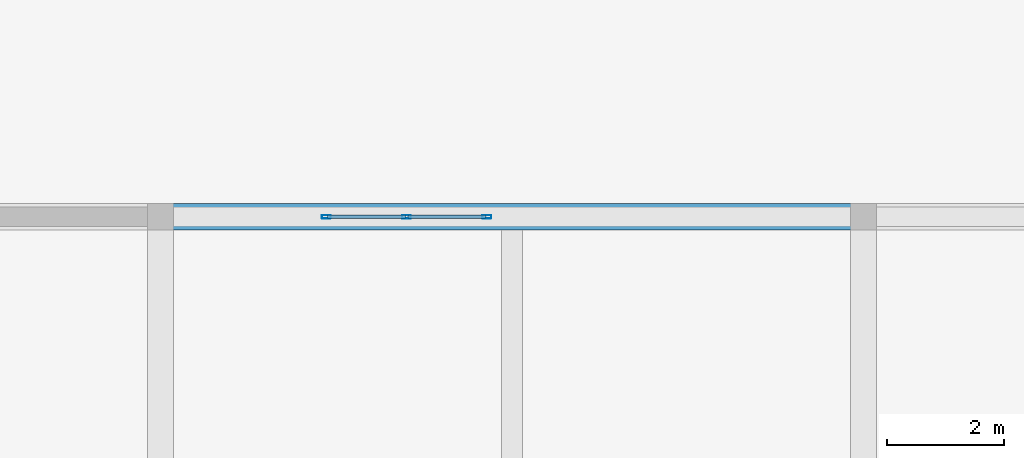
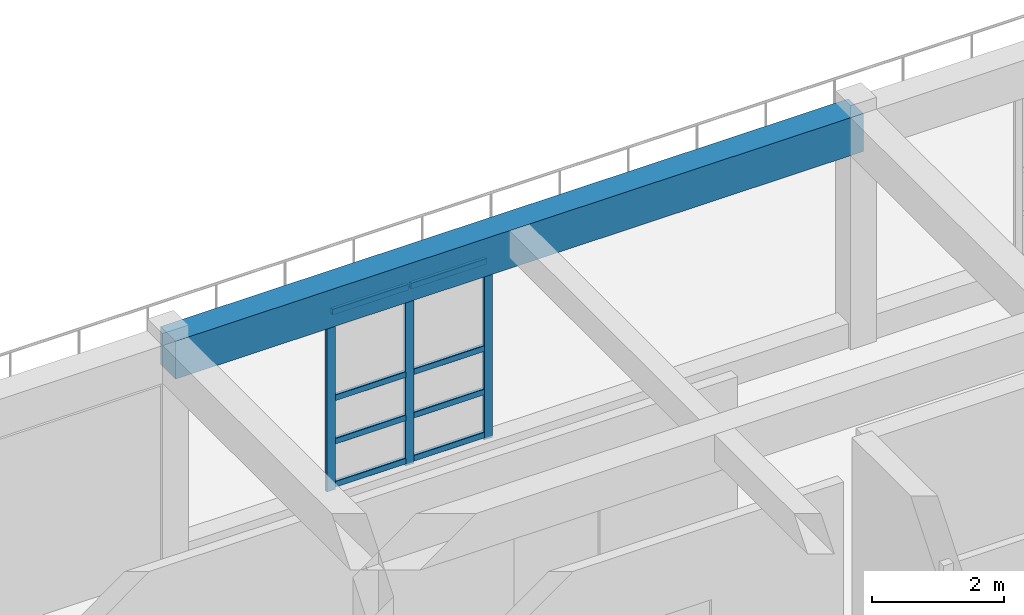
# One storey, part 6 of 15: 11 members, 1 beam, 1 element without a shape of its own.
"""IFC4 building model written with IfcOpenShell, lengths in metres."""

import ifcopenshell
import ifcopenshell.guid

model = None  # the IFC model being written
_history = None  # IfcOwnerHistory: only IFC2X3 demands one
_inside = {}  # id of a spatial element -> (the spatial element, [elements in it])
_under = {}  # id of a project, library or spatial element -> (it, [spatial elements below it])
_declared = {}  # id of a project -> (the project, [libraries it declares])
_typed = {}  # id of a type object -> (the type object, [elements of that type])
_made_of = {}  # id of a material, layer set ... -> (it, [elements and type objects made of it])


def new_model(schema):
    """Start an empty IFC model of exactly this schema.

    Asked for "IFC4X3", IfcOpenShell would pick the latest addendum, in which some entities
    have other attributes; the version numbers below select the first issue.
    IFC2X3 requires an IfcOwnerHistory on every rooted entity: one is made here for all.
    """
    global model, _history
    if schema == "IFC4X3":
        model = ifcopenshell.file(schema_version=(4, 3, 0, 0))
    else:
        model = ifcopenshell.file(schema=schema)
    _inside.clear()
    _under.clear()
    _declared.clear()
    _typed.clear()
    _made_of.clear()
    _history = None
    if model.schema == "IFC2X3":
        org = make("IfcOrganization", Name="unknown")
        user = make(
            "IfcPersonAndOrganization",
            ThePerson=make("IfcPerson", FamilyName="unknown"),
            TheOrganization=org,
        )
        app = make(
            "IfcApplication",
            ApplicationDeveloper=org,
            Version="unknown",
            ApplicationFullName="unknown",
            ApplicationIdentifier="unknown",
        )
        _history = make(
            "IfcOwnerHistory",
            OwningUser=user,
            OwningApplication=app,
            ChangeAction="ADDED",
            CreationDate=0,
        )
    return model


def make(cls, **values):
    """One entity of the class cls with the attributes given. An attribute that is None is left unset."""
    return model.create_entity(
        cls, **{name: value for name, value in values.items() if value is not None}
    )


def rooted(cls, **values):
    """An entity with a GlobalId (a new one), such as an element, a storey or a relation."""
    return make(cls, GlobalId=ifcopenshell.guid.new(), OwnerHistory=_history, **values)


def si_unit(unit_type, name, prefix=None):
    """IfcSIUnit, for example si_unit("LENGTHUNIT", "METRE", prefix="MILLI")."""
    return make("IfcSIUnit", UnitType=unit_type, Prefix=prefix, Name=name)


def derived_unit(unit_type, elements):
    """IfcDerivedUnit: a product of units, each with its exponent."""
    return make(
        "IfcDerivedUnit",
        Elements=[
            make("IfcDerivedUnitElement", Unit=unit, Exponent=power)
            for unit, power in elements
        ],
        UnitType=unit_type,
    )


def assignment(units):
    """IfcUnitAssignment: the units of a project."""
    return None if units is None else make("IfcUnitAssignment", Units=units)


def point(xyz):
    """IfcCartesianPoint."""
    return None if xyz is None else make("IfcCartesianPoint", Coordinates=xyz)


def direction(xyz):
    """IfcDirection."""
    return None if xyz is None else make("IfcDirection", DirectionRatios=xyz)


def frame(location, z_axis=None, x_axis=None):
    """IfcAxis2Placement3D, a coordinate frame: its origin and axes. An axis left out is left unset."""
    return make(
        "IfcAxis2Placement3D",
        Location=point(location),
        Axis=direction(z_axis),
        RefDirection=direction(x_axis),
    )


def frame_2d(location, x_axis=None):
    """IfcAxis2Placement2D, a coordinate frame in the plane: its origin and x axis."""
    return make(
        "IfcAxis2Placement2D", Location=point(location), RefDirection=direction(x_axis)
    )


def origin():
    """The frame at (0, 0, 0) with its axes left unset."""
    return frame((0.0, 0.0, 0.0))


def origin_2d():
    """The frame at (0, 0) in the plane with its x axis left unset."""
    return frame_2d((0.0, 0.0))


def place(relative_to, where):
    """IfcLocalPlacement: puts the frame where relative to a parent placement (None: the world)."""
    return make(
        "IfcLocalPlacement", PlacementRelTo=relative_to, RelativePlacement=where
    )


def context(
    kind, dimensions, precision=None, world=None, true_north=None, identifier=None
):
    """IfcGeometricRepresentationContext, for example the 3D "Model" context."""
    return make(
        "IfcGeometricRepresentationContext",
        ContextIdentifier=identifier,
        ContextType=kind,
        CoordinateSpaceDimension=dimensions,
        Precision=precision,
        WorldCoordinateSystem=world,
        TrueNorth=true_north,
    )


def subcontext(parent, identifier, kind, view, scale=None):
    """IfcGeometricRepresentationSubContext, for example "Body" below "Model"."""
    return make(
        "IfcGeometricRepresentationSubContext",
        ContextIdentifier=identifier,
        ContextType=kind,
        ParentContext=parent,
        TargetScale=scale,
        TargetView=view,
    )


def project(units=None, contexts=None):
    """IfcProject with its units and contexts."""
    return rooted(
        "IfcProject",
        Name="project",
        RepresentationContexts=contexts,
        UnitsInContext=assignment(units),
    )


def spatial(cls, under=None, at=None, **own):
    """A site, building, storey or space (cls), placed at a placement, below another one or the project."""
    s = rooted(cls, ObjectPlacement=at, **own)
    if under is not None:
        _under.setdefault(under.id(), (under, []))[1].append(s)
    return s


def profile(cls, at=None, kind="AREA", **sizes):
    """A parametric profile (cls). Its sizes go by their IFC names, for example OverallWidth=200.0."""
    return make(cls, ProfileType=kind, Position=at, **sizes)


def rectangle(**sizes):
    """IfcRectangleProfileDef."""
    return profile("IfcRectangleProfileDef", **sizes)


def hollow_rectangle(**sizes):
    """IfcRectangleHollowProfileDef."""
    return profile("IfcRectangleHollowProfileDef", **sizes)


def extrude(swept, where, along, depth):
    """IfcExtrudedAreaSolid: the profile swept, set in the frame where, extruded along a direction by depth."""
    return make(
        "IfcExtrudedAreaSolid",
        SweptArea=swept,
        Position=where,
        ExtrudedDirection=direction(along),
        Depth=depth,
    )


def shape(context_of_items, identifier, shape_type, items):
    """IfcShapeRepresentation: the items that make up one representation, for example the "Body"."""
    return make(
        "IfcShapeRepresentation",
        ContextOfItems=context_of_items,
        RepresentationIdentifier=identifier,
        RepresentationType=shape_type,
        Items=items,
    )


def material(Name=None, Category=None):
    """IfcMaterial."""
    return make("IfcMaterial", Name=Name, Category=Category)


def layer(
    of_material, thickness, ventilated=None, Name=None, Category=None, Priority=None
):
    """IfcMaterialLayer: one layer of a wall or slab, of a material (None: an air gap)."""
    return make(
        "IfcMaterialLayer",
        Material=of_material,
        LayerThickness=thickness,
        IsVentilated=ventilated,
        Name=Name,
        Category=Category,
        Priority=Priority,
    )


def layer_set(layers, Name=None):
    """IfcMaterialLayerSet."""
    return make("IfcMaterialLayerSet", MaterialLayers=layers, LayerSetName=Name)


def material_profile(
    of_material, cross_section, Name=None, Category=None, Priority=None
):
    """IfcMaterialProfile: a cross section and its material."""
    return make(
        "IfcMaterialProfile",
        Name=Name,
        Material=of_material,
        Profile=cross_section,
        Priority=Priority,
        Category=Category,
    )


def profile_set(profiles, Name=None, composite=None):
    """IfcMaterialProfileSet."""
    return make(
        "IfcMaterialProfileSet",
        Name=Name,
        MaterialProfiles=profiles,
        CompositeProfile=composite,
    )


def made_of(thing, what):
    """Note that an element or type object is made of a material, layer set ...; save() writes the relation."""
    if what is not None:
        _made_of.setdefault(what.id(), (what, []))[1].append(thing)
    return thing


def type_object(cls, material=None, **own):
    """A type object (cls), such as IfcWallType, which elements share."""
    return made_of(rooted(cls, **own), material)


def element(
    cls,
    number,
    at=None,
    inside=None,
    cuts=None,
    type_object=None,
    material=None,
    context=None,
    identifier="Body",
    shape_type=None,
    held_by="IfcProductDefinitionShape",
    body=None,
    shapes=None,
    **own,
):
    """One element of the class cls, such as IfcWall. Its Tag is "e" and its number.

    at: its placement. inside: the storey or other place that contains it. cuts: it is an
    opening in that element (IfcRelVoidsElement). A single representation is given by context,
    identifier, shape_type and body (its items); several are given by shapes. held_by: the class
    of the entity that holds the representations. save() writes the other relations.
    """
    e = rooted(cls, Tag="e%d" % number, ObjectPlacement=at, **own)
    if body is not None:
        shapes = [shape(context, identifier, shape_type, body)]
    if shapes is not None:
        e.Representation = make(held_by, Representations=shapes)
    if inside is not None:
        _inside.setdefault(inside.id(), (inside, []))[1].append(e)
    if cuts is not None:
        rooted(
            "IfcRelVoidsElement", RelatingBuildingElement=cuts, RelatedOpeningElement=e
        )
    if type_object is not None:
        _typed.setdefault(type_object.id(), (type_object, []))[1].append(e)
    return made_of(e, material)


def aggregate(whole, parts):
    """IfcRelAggregates: a whole, such as a stair, and the parts it consists of."""
    return rooted("IfcRelAggregates", RelatingObject=whole, RelatedObjects=parts)


def save(model, path):
    """Write the relations noted so far, then the file.

    IfcRelAggregates (storeys below a building ...), IfcRelContainedInSpatialStructure (elements
    in a storey), IfcRelDefinesByType, IfcRelAssociatesMaterial and IfcRelDeclares: one each for
    every whole, place, type object, material and project.
    """
    for whole, parts in _under.values():
        aggregate(whole, parts)
    for where, things in _inside.values():
        rooted(
            "IfcRelContainedInSpatialStructure",
            RelatedElements=things,
            RelatingStructure=where,
        )
    for kind, things in _typed.values():
        rooted("IfcRelDefinesByType", RelatedObjects=things, RelatingType=kind)
    for what, things in _made_of.values():
        rooted("IfcRelAssociatesMaterial", RelatedObjects=things, RelatingMaterial=what)
    for by, libraries in _declared.values():
        rooted("IfcRelDeclares", RelatingContext=by, RelatedDefinitions=libraries)
    model.write(path)


model = new_model("IFC4")

# Units and contexts
model_context = context("Model", 3, precision=1e-05, world=origin(), true_north=direction((0.0, 1.0)))
body_context = subcontext(model_context, "Body", "Model", "MODEL_VIEW")
ifc_project = project(units=[si_unit("LENGTHUNIT", "METRE"), si_unit("AREAUNIT", "SQUARE_METRE"), si_unit("VOLUMEUNIT", "CUBIC_METRE"), si_unit("PLANEANGLEUNIT", "RADIAN"), si_unit("MASSUNIT", "GRAM", prefix="KILO"), derived_unit("THERMALTRANSMITTANCEUNIT", [(si_unit("POWERUNIT", "WATT"), 1), (si_unit("LENGTHUNIT", "METRE"), -2), (si_unit("THERMODYNAMICTEMPERATUREUNIT", "KELVIN"), -1)])], contexts=[model_context])

# Site, building, storey
site_placement = place(None, origin())
site = spatial("IfcSite", under=ifc_project, at=site_placement, CompositionType="ELEMENT")
building_placement = place(site_placement, origin())
building = spatial("IfcBuilding", under=site, at=building_placement, Name="Almenara Railside Exhibition Hall", CompositionType="ELEMENT")
storey_placement = place(building_placement, frame((0.0, 0.0, 16.199951171875)))
storey = spatial("IfcBuildingStorey", under=building, at=storey_placement, Name="L03", CompositionType="ELEMENT", Elevation=16.199951171875)

# Curtain wall, members
ifc_material_1 = material(Name="Bronze-anodised aluminium and low-E double glazing", Category="aluminium")
ifc_layer = layer(ifc_material_1, 0.179931640625, Name="Bronze-anodised aluminium and low-E double glazing")
ifc_layer_set = layer_set([ifc_layer], Name="Bronze-anodised aluminium and low-E double glazing")
curtain_wall_type = type_object("IfcCurtainWallType", Name="Belvedere North Loggia Curtain Wall 2800x3300", PredefinedType="NOTDEFINED", material=ifc_layer_set)
curtain_wall_placement = place(storey_placement, origin())
curtain_wall = element("IfcCurtainWall", 1, at=curtain_wall_placement, inside=storey, type_object=curtain_wall_type, Name="Curtain wall CW-BV1-165", PredefinedType="NOTDEFINED")
ifc_material_2 = material(Name="Bronze-anodised aluminium", Category="aluminium")
ifc_material_profile_1 = material_profile(ifc_material_2, hollow_rectangle(XDim=0.06005859375, YDim=0.14990234375, WallThickness=0.00341796875, InnerFilletRadius=0.00341796875, OuterFilletRadius=0.007080078125, at=origin_2d()), Name="ALU-MUL 60x150x3.5")
ifc_profile_set_1 = profile_set([ifc_material_profile_1], Name="Bronze-anodised aluminium")
member_type_1 = type_object("IfcMemberType", Name="Curtain Wall Mullion 60x150x3.5", PredefinedType="MULLION", material=ifc_profile_set_1)
member_1_placement = place(storey_placement, frame((176.830078125, 28.0, 0.4150390625), z_axis=(0.0, 0.0, 1.0), x_axis=(0.0, 1.0, 0.0)))
member_1 = element("IfcMember", 2, at=member_1_placement, type_object=member_type_1, Name="CW-BV1-165 mullion 1", PredefinedType="MULLION", context=body_context, shape_type="SweptSolid", body=[
    extrude(hollow_rectangle(XDim=0.06005859375, YDim=0.14990234375, WallThickness=0.00341796875, InnerFilletRadius=0.00341796875, OuterFilletRadius=0.007080078125, at=origin_2d()), origin(), (0.0, 0.0, 1.0), 3.3349609375),
])
member_2_placement = place(storey_placement, frame((178.199951171875, 28.0, 0.4150390625), z_axis=(0.0, 0.0, 1.0), x_axis=(0.0, 1.0, 0.0)))
member_2 = element("IfcMember", 3, at=member_2_placement, type_object=member_type_1, Name="CW-BV1-165 mullion 2", PredefinedType="MULLION", context=body_context, shape_type="SweptSolid", body=[
    extrude(hollow_rectangle(XDim=0.06005859375, YDim=0.14990234375, WallThickness=0.00341796875, InnerFilletRadius=0.00341796875, OuterFilletRadius=0.007080078125, at=origin_2d()), origin(), (0.0, 0.0, 1.0), 3.3349609375),
])
member_3_placement = place(storey_placement, frame((179.570068359375, 28.0, 0.4150390625), z_axis=(0.0, 0.0, 1.0), x_axis=(0.0, 1.0, 0.0)))
member_3 = element("IfcMember", 4, at=member_3_placement, type_object=member_type_1, Name="CW-BV1-165 mullion 3", PredefinedType="MULLION", context=body_context, shape_type="SweptSolid", body=[
    extrude(hollow_rectangle(XDim=0.06005859375, YDim=0.14990234375, WallThickness=0.00341796875, InnerFilletRadius=0.00341796875, OuterFilletRadius=0.007080078125, at=origin_2d()), origin(), (0.0, 0.0, 1.0), 3.3349609375),
])
ifc_material_profile_2 = material_profile(ifc_material_2, hollow_rectangle(XDim=0.06005859375, YDim=0.110107421875, WallThickness=0.0029296875, InnerFilletRadius=0.0029296875, OuterFilletRadius=0.006103515625, at=origin_2d()), Name="ALU-TRN 60x110x3")
ifc_profile_set_2 = profile_set([ifc_material_profile_2], Name="Bronze-anodised aluminium")
member_type_2 = type_object("IfcMemberType", Name="Curtain Wall Transom 60x110x3", PredefinedType="USERDEFINED", material=ifc_profile_set_2)
member_4_placement = place(storey_placement, frame((176.85205078125, 28.0, 0.505126953125), z_axis=(1.0, 0.0, 0.0), x_axis=(0.0, 1.0, 0.0)))
member_4 = element("IfcMember", 5, at=member_4_placement, type_object=member_type_2, Name="CW-BV1-165 transom 1.1", ObjectType="TRANSOM", PredefinedType="USERDEFINED", context=body_context, shape_type="SweptSolid", body=[
    extrude(hollow_rectangle(XDim=0.06005859375, YDim=0.110107421875, WallThickness=0.0029296875, InnerFilletRadius=0.0029296875, OuterFilletRadius=0.006103515625, at=origin_2d()), origin(), (0.0, 0.0, 1.0), 1.325927734375),
])
member_5_placement = place(storey_placement, frame((176.85205078125, 28.0, 1.300048828125), z_axis=(1.0, 0.0, 0.0), x_axis=(0.0, 1.0, 0.0)))
member_5 = element("IfcMember", 6, at=member_5_placement, type_object=member_type_2, Name="CW-BV1-165 transom 1.2", ObjectType="TRANSOM", PredefinedType="USERDEFINED", context=body_context, shape_type="SweptSolid", body=[
    extrude(hollow_rectangle(XDim=0.06005859375, YDim=0.110107421875, WallThickness=0.0029296875, InnerFilletRadius=0.0029296875, OuterFilletRadius=0.006103515625, at=origin_2d()), origin(), (0.0, 0.0, 1.0), 1.325927734375),
])
member_6_placement = place(storey_placement, frame((176.85205078125, 28.0, 2.10009765625), z_axis=(1.0, 0.0, 0.0), x_axis=(0.0, 1.0, 0.0)))
member_6 = element("IfcMember", 7, at=member_6_placement, type_object=member_type_2, Name="CW-BV1-165 transom 1.3", ObjectType="TRANSOM", PredefinedType="USERDEFINED", context=body_context, shape_type="SweptSolid", body=[
    extrude(hollow_rectangle(XDim=0.06005859375, YDim=0.110107421875, WallThickness=0.0029296875, InnerFilletRadius=0.0029296875, OuterFilletRadius=0.006103515625, at=origin_2d()), origin(), (0.0, 0.0, 1.0), 1.325927734375),
])
member_7_placement = place(storey_placement, frame((176.85205078125, 28.0, 3.695068359375), z_axis=(1.0, 0.0, 0.0), x_axis=(0.0, 1.0, 0.0)))
member_7 = element("IfcMember", 8, at=member_7_placement, type_object=member_type_2, Name="CW-BV1-165 transom 1.4", ObjectType="TRANSOM", PredefinedType="USERDEFINED", context=body_context, shape_type="SweptSolid", body=[
    extrude(hollow_rectangle(XDim=0.06005859375, YDim=0.110107421875, WallThickness=0.0029296875, InnerFilletRadius=0.0029296875, OuterFilletRadius=0.006103515625, at=origin_2d()), origin(), (0.0, 0.0, 1.0), 1.325927734375),
])
member_8_placement = place(storey_placement, frame((178.221923828125, 28.0, 0.505126953125), z_axis=(1.0, 0.0, 0.0), x_axis=(0.0, 1.0, 0.0)))
member_8 = element("IfcMember", 9, at=member_8_placement, type_object=member_type_2, Name="CW-BV1-165 transom 2.1", ObjectType="TRANSOM", PredefinedType="USERDEFINED", context=body_context, shape_type="SweptSolid", body=[
    extrude(hollow_rectangle(XDim=0.06005859375, YDim=0.110107421875, WallThickness=0.0029296875, InnerFilletRadius=0.0029296875, OuterFilletRadius=0.006103515625, at=origin_2d()), origin(), (0.0, 0.0, 1.0), 1.326171875),
])
member_9_placement = place(storey_placement, frame((178.221923828125, 28.0, 1.300048828125), z_axis=(1.0, 0.0, 0.0), x_axis=(0.0, 1.0, 0.0)))
member_9 = element("IfcMember", 10, at=member_9_placement, type_object=member_type_2, Name="CW-BV1-165 transom 2.2", ObjectType="TRANSOM", PredefinedType="USERDEFINED", context=body_context, shape_type="SweptSolid", body=[
    extrude(hollow_rectangle(XDim=0.06005859375, YDim=0.110107421875, WallThickness=0.0029296875, InnerFilletRadius=0.0029296875, OuterFilletRadius=0.006103515625, at=origin_2d()), origin(), (0.0, 0.0, 1.0), 1.326171875),
])
member_10_placement = place(storey_placement, frame((178.221923828125, 28.0, 2.10009765625), z_axis=(1.0, 0.0, 0.0), x_axis=(0.0, 1.0, 0.0)))
member_10 = element("IfcMember", 11, at=member_10_placement, type_object=member_type_2, Name="CW-BV1-165 transom 2.3", ObjectType="TRANSOM", PredefinedType="USERDEFINED", context=body_context, shape_type="SweptSolid", body=[
    extrude(hollow_rectangle(XDim=0.06005859375, YDim=0.110107421875, WallThickness=0.0029296875, InnerFilletRadius=0.0029296875, OuterFilletRadius=0.006103515625, at=origin_2d()), origin(), (0.0, 0.0, 1.0), 1.326171875),
])
member_11_placement = place(storey_placement, frame((178.221923828125, 28.0, 3.695068359375), z_axis=(1.0, 0.0, 0.0), x_axis=(0.0, 1.0, 0.0)))
member_11 = element("IfcMember", 12, at=member_11_placement, type_object=member_type_2, Name="CW-BV1-165 transom 2.4", ObjectType="TRANSOM", PredefinedType="USERDEFINED", context=body_context, shape_type="SweptSolid", body=[
    extrude(hollow_rectangle(XDim=0.06005859375, YDim=0.110107421875, WallThickness=0.0029296875, InnerFilletRadius=0.0029296875, OuterFilletRadius=0.006103515625, at=origin_2d()), origin(), (0.0, 0.0, 1.0), 1.326171875),
])
aggregate(curtain_wall, [member_1, member_2, member_3, member_4, member_5, member_6, member_7, member_8, member_9, member_10, member_11])

# Beam
ifc_material_3 = material(Name="Concrete C35/45", Category="concrete")
ifc_material_profile_3 = material_profile(ifc_material_3, rectangle(XDim=0.449951171875, YDim=0.699951171875, at=origin_2d()), Name="RC 450x700")
ifc_profile_set_3 = profile_set([ifc_material_profile_3], Name="Concrete C35/45")
beam_type = type_object("IfcBeamType", Name="RC Floor Beam 450x700 C35/45", PredefinedType="BEAM", material=ifc_profile_set_3)
beam_placement = place(storey_placement, frame((174.0, 28.0, 3.929931640625), z_axis=(1.0, 0.0, 0.0), x_axis=(0.0, 1.0, 0.0)))
element("IfcBeam", 13, at=beam_placement, inside=storey, type_object=beam_type, Name="Beam 0365", PredefinedType="BEAM", context=body_context, shape_type="SweptSolid", body=[
    extrude(rectangle(XDim=0.449951171875, YDim=0.699951171875, at=origin_2d()), origin(), (0.0, 0.0, 1.0), 12.0),
])

save(model, "model.ifc")
